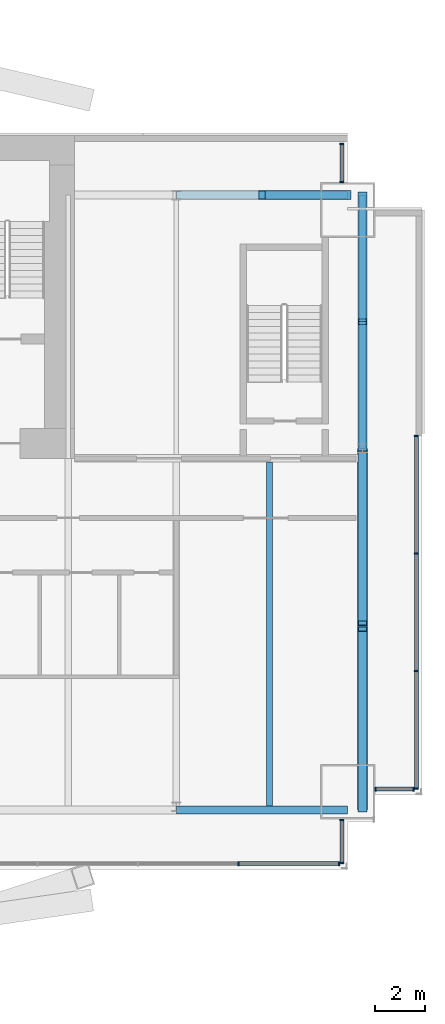
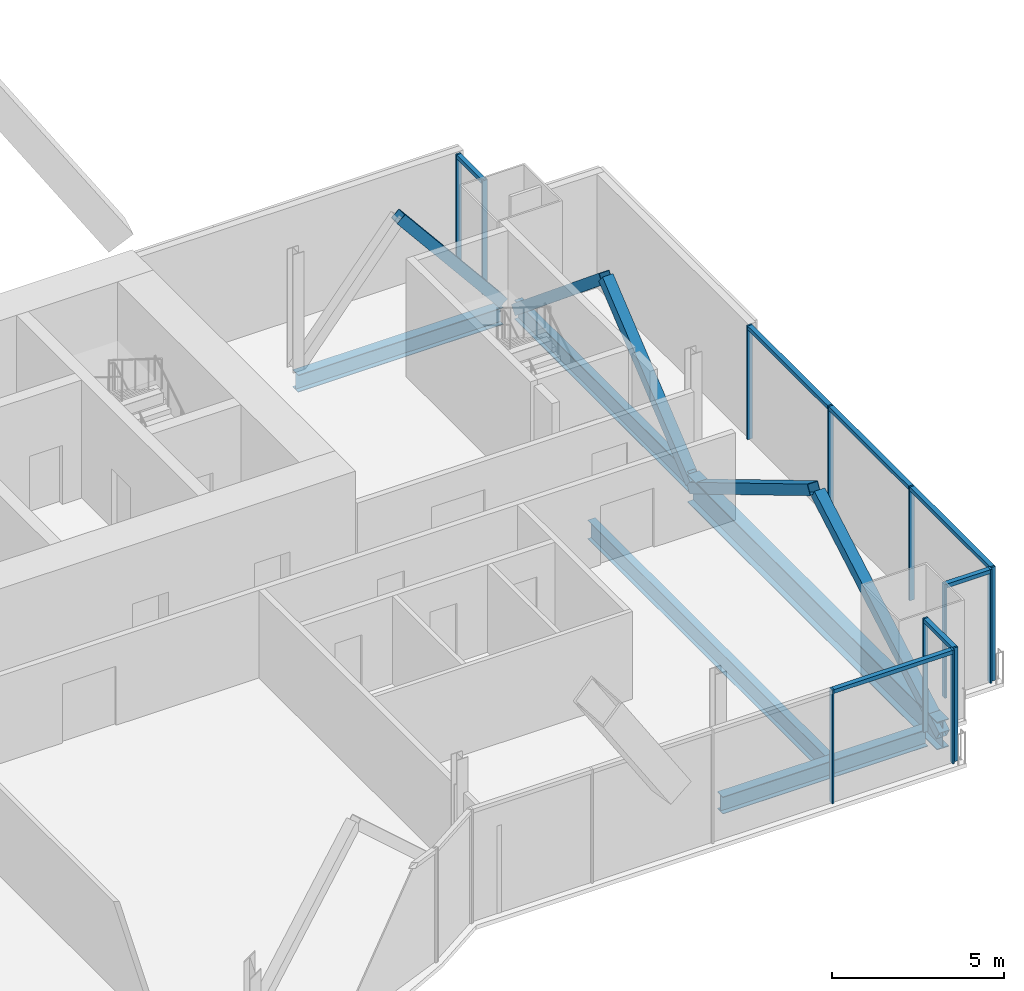
# One storey, part 14 of 22: 24 members, 5 beams, 5 elements without a shape of their own.
"""IFC4 building model written with IfcOpenShell, lengths in metres."""

import ifcopenshell
import ifcopenshell.guid

model = None  # the IFC model being written
_history = None  # IfcOwnerHistory: only IFC2X3 demands one
_inside = {}  # id of a spatial element -> (the spatial element, [elements in it])
_under = {}  # id of a project, library or spatial element -> (it, [spatial elements below it])
_declared = {}  # id of a project -> (the project, [libraries it declares])
_typed = {}  # id of a type object -> (the type object, [elements of that type])
_made_of = {}  # id of a material, layer set ... -> (it, [elements and type objects made of it])


def new_model(schema):
    """Start an empty IFC model of exactly this schema.

    Asked for "IFC4X3", IfcOpenShell would pick the latest addendum, in which some entities
    have other attributes; the version numbers below select the first issue.
    IFC2X3 requires an IfcOwnerHistory on every rooted entity: one is made here for all.
    """
    global model, _history
    if schema == "IFC4X3":
        model = ifcopenshell.file(schema_version=(4, 3, 0, 0))
    else:
        model = ifcopenshell.file(schema=schema)
    _inside.clear()
    _under.clear()
    _declared.clear()
    _typed.clear()
    _made_of.clear()
    _history = None
    if model.schema == "IFC2X3":
        org = make("IfcOrganization", Name="unknown")
        user = make(
            "IfcPersonAndOrganization",
            ThePerson=make("IfcPerson", FamilyName="unknown"),
            TheOrganization=org,
        )
        app = make(
            "IfcApplication",
            ApplicationDeveloper=org,
            Version="unknown",
            ApplicationFullName="unknown",
            ApplicationIdentifier="unknown",
        )
        _history = make(
            "IfcOwnerHistory",
            OwningUser=user,
            OwningApplication=app,
            ChangeAction="ADDED",
            CreationDate=0,
        )
    return model


def make(cls, **values):
    """One entity of the class cls with the attributes given. An attribute that is None is left unset."""
    return model.create_entity(
        cls, **{name: value for name, value in values.items() if value is not None}
    )


def rooted(cls, **values):
    """An entity with a GlobalId (a new one), such as an element, a storey or a relation."""
    return make(cls, GlobalId=ifcopenshell.guid.new(), OwnerHistory=_history, **values)


def si_unit(unit_type, name, prefix=None):
    """IfcSIUnit, for example si_unit("LENGTHUNIT", "METRE", prefix="MILLI")."""
    return make("IfcSIUnit", UnitType=unit_type, Prefix=prefix, Name=name)


def assignment(units):
    """IfcUnitAssignment: the units of a project."""
    return None if units is None else make("IfcUnitAssignment", Units=units)


def point(xyz):
    """IfcCartesianPoint."""
    return None if xyz is None else make("IfcCartesianPoint", Coordinates=xyz)


def direction(xyz):
    """IfcDirection."""
    return None if xyz is None else make("IfcDirection", DirectionRatios=xyz)


def frame(location, z_axis=None, x_axis=None):
    """IfcAxis2Placement3D, a coordinate frame: its origin and axes. An axis left out is left unset."""
    return make(
        "IfcAxis2Placement3D",
        Location=point(location),
        Axis=direction(z_axis),
        RefDirection=direction(x_axis),
    )


def frame_2d(location, x_axis=None):
    """IfcAxis2Placement2D, a coordinate frame in the plane: its origin and x axis."""
    return make(
        "IfcAxis2Placement2D", Location=point(location), RefDirection=direction(x_axis)
    )


def origin():
    """The frame at (0, 0, 0) with its axes left unset."""
    return frame((0.0, 0.0, 0.0))


def origin_2d():
    """The frame at (0, 0) in the plane with its x axis left unset."""
    return frame_2d((0.0, 0.0))


def place(relative_to, where):
    """IfcLocalPlacement: puts the frame where relative to a parent placement (None: the world)."""
    return make(
        "IfcLocalPlacement", PlacementRelTo=relative_to, RelativePlacement=where
    )


def context(
    kind, dimensions, precision=None, world=None, true_north=None, identifier=None
):
    """IfcGeometricRepresentationContext, for example the 3D "Model" context."""
    return make(
        "IfcGeometricRepresentationContext",
        ContextIdentifier=identifier,
        ContextType=kind,
        CoordinateSpaceDimension=dimensions,
        Precision=precision,
        WorldCoordinateSystem=world,
        TrueNorth=true_north,
    )


def subcontext(parent, identifier, kind, view, scale=None):
    """IfcGeometricRepresentationSubContext, for example "Body" below "Model"."""
    return make(
        "IfcGeometricRepresentationSubContext",
        ContextIdentifier=identifier,
        ContextType=kind,
        ParentContext=parent,
        TargetScale=scale,
        TargetView=view,
    )


def project(units=None, contexts=None):
    """IfcProject with its units and contexts."""
    return rooted(
        "IfcProject",
        Name="project",
        RepresentationContexts=contexts,
        UnitsInContext=assignment(units),
    )


def spatial(cls, under=None, at=None, **own):
    """A site, building, storey or space (cls), placed at a placement, below another one or the project."""
    s = rooted(cls, ObjectPlacement=at, **own)
    if under is not None:
        _under.setdefault(under.id(), (under, []))[1].append(s)
    return s


def profile(cls, at=None, kind="AREA", **sizes):
    """A parametric profile (cls). Its sizes go by their IFC names, for example OverallWidth=200.0."""
    return make(cls, ProfileType=kind, Position=at, **sizes)


def rectangle(**sizes):
    """IfcRectangleProfileDef."""
    return profile("IfcRectangleProfileDef", **sizes)


def hollow_rectangle(**sizes):
    """IfcRectangleHollowProfileDef."""
    return profile("IfcRectangleHollowProfileDef", **sizes)


def i_section(**sizes):
    """IfcIShapeProfileDef."""
    return profile("IfcIShapeProfileDef", **sizes)


def extrude(swept, where, along, depth):
    """IfcExtrudedAreaSolid: the profile swept, set in the frame where, extruded along a direction by depth."""
    return make(
        "IfcExtrudedAreaSolid",
        SweptArea=swept,
        Position=where,
        ExtrudedDirection=direction(along),
        Depth=depth,
    )


def shape(context_of_items, identifier, shape_type, items):
    """IfcShapeRepresentation: the items that make up one representation, for example the "Body"."""
    return make(
        "IfcShapeRepresentation",
        ContextOfItems=context_of_items,
        RepresentationIdentifier=identifier,
        RepresentationType=shape_type,
        Items=items,
    )


def material(Name=None, Category=None):
    """IfcMaterial."""
    return make("IfcMaterial", Name=Name, Category=Category)


def material_profile(
    of_material, cross_section, Name=None, Category=None, Priority=None
):
    """IfcMaterialProfile: a cross section and its material."""
    return make(
        "IfcMaterialProfile",
        Name=Name,
        Material=of_material,
        Profile=cross_section,
        Priority=Priority,
        Category=Category,
    )


def profile_set(profiles, Name=None, composite=None):
    """IfcMaterialProfileSet."""
    return make(
        "IfcMaterialProfileSet",
        Name=Name,
        MaterialProfiles=profiles,
        CompositeProfile=composite,
    )


def made_of(thing, what):
    """Note that an element or type object is made of a material, layer set ...; save() writes the relation."""
    if what is not None:
        _made_of.setdefault(what.id(), (what, []))[1].append(thing)
    return thing


def type_object(cls, material=None, **own):
    """A type object (cls), such as IfcWallType, which elements share."""
    return made_of(rooted(cls, **own), material)


def element(
    cls,
    number,
    at=None,
    inside=None,
    cuts=None,
    type_object=None,
    material=None,
    context=None,
    identifier="Body",
    shape_type=None,
    held_by="IfcProductDefinitionShape",
    body=None,
    shapes=None,
    **own,
):
    """One element of the class cls, such as IfcWall. Its Tag is "e" and its number.

    at: its placement. inside: the storey or other place that contains it. cuts: it is an
    opening in that element (IfcRelVoidsElement). A single representation is given by context,
    identifier, shape_type and body (its items); several are given by shapes. held_by: the class
    of the entity that holds the representations. save() writes the other relations.
    """
    e = rooted(cls, Tag="e%d" % number, ObjectPlacement=at, **own)
    if body is not None:
        shapes = [shape(context, identifier, shape_type, body)]
    if shapes is not None:
        e.Representation = make(held_by, Representations=shapes)
    if inside is not None:
        _inside.setdefault(inside.id(), (inside, []))[1].append(e)
    if cuts is not None:
        rooted(
            "IfcRelVoidsElement", RelatingBuildingElement=cuts, RelatedOpeningElement=e
        )
    if type_object is not None:
        _typed.setdefault(type_object.id(), (type_object, []))[1].append(e)
    return made_of(e, material)


def aggregate(whole, parts):
    """IfcRelAggregates: a whole, such as a stair, and the parts it consists of."""
    return rooted("IfcRelAggregates", RelatingObject=whole, RelatedObjects=parts)


def save(model, path):
    """Write the relations noted so far, then the file.

    IfcRelAggregates (storeys below a building ...), IfcRelContainedInSpatialStructure (elements
    in a storey), IfcRelDefinesByType, IfcRelAssociatesMaterial and IfcRelDeclares: one each for
    every whole, place, type object, material and project.
    """
    for whole, parts in _under.values():
        aggregate(whole, parts)
    for where, things in _inside.values():
        rooted(
            "IfcRelContainedInSpatialStructure",
            RelatedElements=things,
            RelatingStructure=where,
        )
    for kind, things in _typed.values():
        rooted("IfcRelDefinesByType", RelatedObjects=things, RelatingType=kind)
    for what, things in _made_of.values():
        rooted("IfcRelAssociatesMaterial", RelatedObjects=things, RelatingMaterial=what)
    for by, libraries in _declared.values():
        rooted("IfcRelDeclares", RelatingContext=by, RelatedDefinitions=libraries)
    model.write(path)


model = new_model("IFC4")

# Units and contexts
model_context = context("Model", 3, precision=1e-05, world=origin(), true_north=direction((0.0, 1.0)))
body_context = subcontext(model_context, "Body", "Model", "MODEL_VIEW")
ifc_project = project(units=[si_unit("LENGTHUNIT", "METRE"), si_unit("AREAUNIT", "SQUARE_METRE"), si_unit("VOLUMEUNIT", "CUBIC_METRE"), si_unit("PLANEANGLEUNIT", "RADIAN"), si_unit("MASSUNIT", "GRAM", prefix="KILO")], contexts=[model_context])

# Site, building, storey
site_placement = place(None, origin())
site = spatial("IfcSite", under=ifc_project, at=site_placement, CompositionType="ELEMENT")
building_placement = place(site_placement, origin())
building = spatial("IfcBuilding", under=site, at=building_placement, Name="Bicima Exchange Tower", CompositionType="ELEMENT")
storey_placement = place(building_placement, frame((0.0, 0.0, 254.0)))
storey = spatial("IfcBuildingStorey", under=building, at=storey_placement, Name="L57", CompositionType="ELEMENT", Elevation=254.0)

# Curtain wall, members
ifc_material_1 = material(Name="Anodised bronze aluminium", Category="aluminium")
curtain_wall_type_1 = type_object("IfcCurtainWallType", Name="End face glass wall", PredefinedType="NOTDEFINED", material=ifc_material_1)
curtain_wall_1_placement = place(storey_placement, origin())
curtain_wall_1 = element("IfcCurtainWall", 1, at=curtain_wall_1_placement, inside=storey, type_object=curtain_wall_type_1, Name="End face glass wall L57 run 19", PredefinedType="NOTDEFINED")
ifc_material_profile_1 = material_profile(ifc_material_1, rectangle(XDim=0.159912109375, YDim=0.06005859375, at=origin_2d()))
ifc_profile_set_1 = profile_set([ifc_material_profile_1], Name="Anodised bronze aluminium")
member_type_1 = type_object("IfcMemberType", Name="End face glass wall mullion 60 x 160", PredefinedType="MULLION", material=ifc_profile_set_1)
member_1_placement = place(storey_placement, frame((35.77001953125, -26.2958984375, 0.0), z_axis=(0.0, 0.0, 1.0), x_axis=(-1.0, 0.0, 0.0)))
member_1 = element("IfcMember", 2, at=member_1_placement, type_object=member_type_1, Name="End face glass wall mullion 1", PredefinedType="MULLION", context=body_context, shape_type="SweptSolid", body=[
    extrude(rectangle(XDim=0.159912109375, YDim=0.06005859375, at=origin_2d()), origin(), (0.0, 0.0, 1.0), 4.050048828125),
])
member_2_placement = place(storey_placement, frame((35.77001953125, -21.5673828125, 0.0), z_axis=(0.0, 0.0, 1.0), x_axis=(-1.0, 0.0, 0.0)))
member_2 = element("IfcMember", 3, at=member_2_placement, type_object=member_type_1, Name="End face glass wall mullion 2", PredefinedType="MULLION", context=body_context, shape_type="SweptSolid", body=[
    extrude(rectangle(XDim=0.159912109375, YDim=0.06005859375, at=origin_2d()), origin(), (0.0, 0.0, 1.0), 4.050048828125),
])
member_3_placement = place(storey_placement, frame((35.77001953125, -16.838623046875, 0.0), z_axis=(0.0, 0.0, 1.0), x_axis=(-1.0, 0.0, 0.0)))
member_3 = element("IfcMember", 4, at=member_3_placement, type_object=member_type_1, Name="End face glass wall mullion 3", PredefinedType="MULLION", context=body_context, shape_type="SweptSolid", body=[
    extrude(rectangle(XDim=0.159912109375, YDim=0.06005859375, at=origin_2d()), origin(), (0.0, 0.0, 1.0), 4.050048828125),
])
member_4_placement = place(storey_placement, frame((35.77001953125, -12.110107421875, 0.0), z_axis=(0.0, 0.0, 1.0), x_axis=(-1.0, 0.0, 0.0)))
member_4 = element("IfcMember", 5, at=member_4_placement, type_object=member_type_1, Name="End face glass wall mullion 4", PredefinedType="MULLION", context=body_context, shape_type="SweptSolid", body=[
    extrude(rectangle(XDim=0.159912109375, YDim=0.06005859375, at=origin_2d()), origin(), (0.0, 0.0, 1.0), 4.050048828125),
])
ifc_material_profile_2 = material_profile(ifc_material_1, rectangle(XDim=0.159912109375, YDim=0.139892578125, at=origin_2d()))
ifc_profile_set_2 = profile_set([ifc_material_profile_2], Name="Anodised bronze aluminium")
member_type_2 = type_object("IfcMemberType", Name="End face glass wall transom 140 x 160", PredefinedType="USERDEFINED", material=ifc_profile_set_2)
member_5_placement = place(storey_placement, frame((35.77001953125, -26.26611328125, 3.97998046875), z_axis=(0.0, 1.0, 0.0), x_axis=(-1.0, 0.0, 0.0)))
member_5 = element("IfcMember", 6, at=member_5_placement, type_object=member_type_2, Name="End face glass wall transom 1.1", ObjectType="TRANSOM", PredefinedType="USERDEFINED", context=body_context, shape_type="SweptSolid", body=[
    extrude(rectangle(XDim=0.159912109375, YDim=0.139892578125, at=origin_2d()), origin(), (0.0, 0.0, 1.0), 4.668701171875),
])
member_6_placement = place(storey_placement, frame((35.77001953125, -21.537353515625, 3.97998046875), z_axis=(0.0, 1.0, 0.0), x_axis=(-1.0, 0.0, 0.0)))
member_6 = element("IfcMember", 7, at=member_6_placement, type_object=member_type_2, Name="End face glass wall transom 2.1", ObjectType="TRANSOM", PredefinedType="USERDEFINED", context=body_context, shape_type="SweptSolid", body=[
    extrude(rectangle(XDim=0.159912109375, YDim=0.139892578125, at=origin_2d()), origin(), (0.0, 0.0, 1.0), 4.668701171875),
])
member_7_placement = place(storey_placement, frame((35.77001953125, -16.80859375, 3.97998046875), z_axis=(0.0, 1.0, 0.0), x_axis=(-1.0, 0.0, 0.0)))
member_7 = element("IfcMember", 8, at=member_7_placement, type_object=member_type_2, Name="End face glass wall transom 3.1", ObjectType="TRANSOM", PredefinedType="USERDEFINED", context=body_context, shape_type="SweptSolid", body=[
    extrude(rectangle(XDim=0.159912109375, YDim=0.139892578125, at=origin_2d()), origin(), (0.0, 0.0, 1.0), 4.668701171875),
])
aggregate(curtain_wall_1, [member_1, member_2, member_3, member_4, member_5, member_6, member_7])

# Beams
ifc_material_2 = material(Name="Steel ASTM A992 Gr 50", Category="steel")
ifc_material_profile_3 = material_profile(ifc_material_2, i_section(OverallWidth=0.256591796875, OverallDepth=0.693359375, WebThickness=0.014404296875, FlangeThickness=0.023681640625, at=origin_2d()))
ifc_profile_set_3 = profile_set([ifc_material_profile_3], Name="Steel ASTM A992 Gr 50")
beam_type_1 = type_object("IfcBeamType", Name="End girder W27x114", PredefinedType="BEAM", material=ifc_profile_set_3)
beam_1_placement = place(storey_placement, frame((33.60009765625, -2.39990234375, -0.49658203125), z_axis=(0.0, -1.0, 0.0), x_axis=(1.0, 0.0, 0.0)))
element("IfcBeam", 9, at=beam_1_placement, inside=storey, type_object=beam_type_1, Name="End girder", PredefinedType="BEAM", context=body_context, shape_type="SweptSolid", body=[
    extrude(i_section(OverallWidth=0.256591796875, OverallDepth=0.693359375, WebThickness=0.014404296875, FlangeThickness=0.023681640625, at=origin_2d()), origin(), (0.0, 0.0, 1.0), 10.2001953125),
])
ifc_material_profile_4 = material_profile(ifc_material_2, i_section(OverallWidth=0.4013671875, OverallDepth=0.990478515625, WebThickness=0.0166015625, FlangeThickness=0.031005859375, at=origin_2d()))
ifc_profile_set_4 = profile_set([ifc_material_profile_4], Name="Steel ASTM A992 Gr 50")
beam_type_2 = type_object("IfcBeamType", Name="End girder W40x215", PredefinedType="BEAM", material=ifc_profile_set_4)
beam_2_placement = place(storey_placement, frame((33.60009765625, -12.60009765625, -0.645263671875), z_axis=(0.0, -1.0, 0.0), x_axis=(1.0, 0.0, 0.0)))
element("IfcBeam", 10, at=beam_2_placement, inside=storey, type_object=beam_type_2, Name="End girder", PredefinedType="BEAM", context=body_context, shape_type="SweptSolid", body=[
    extrude(i_section(OverallWidth=0.4013671875, OverallDepth=0.990478515625, WebThickness=0.0166015625, FlangeThickness=0.031005859375, at=origin_2d()), origin(), (0.0, 0.0, 1.0), 14.555908203125),
])
ifc_material_profile_5 = material_profile(ifc_material_2, i_section(OverallWidth=0.25390625, OverallDepth=0.67822265625, WebThickness=0.01171875, FlangeThickness=0.016357421875, at=origin_2d()))
ifc_profile_set_5 = profile_set([ifc_material_profile_5], Name="Steel ASTM A992 Gr 50")
beam_type_3 = type_object("IfcBeamType", Name="Floor beam W27x84", PredefinedType="JOIST", material=ifc_profile_set_5)
beam_3_placement = place(storey_placement, frame((29.85009765625, -13.15234375, -0.489013671875), z_axis=(0.0, -1.0, 0.0), x_axis=(1.0, 0.0, 0.0)))
element("IfcBeam", 11, at=beam_3_placement, inside=storey, type_object=beam_type_3, Name="Floor beam", PredefinedType="JOIST", context=body_context, shape_type="SweptSolid", body=[
    extrude(i_section(OverallWidth=0.25390625, OverallDepth=0.67822265625, WebThickness=0.01171875, FlangeThickness=0.016357421875, at=origin_2d()), origin(), (0.0, 0.0, 1.0), 13.841064453125),
])
ifc_material_profile_6 = material_profile(ifc_material_2, i_section(OverallWidth=0.3251953125, OverallDepth=0.612060546875, WebThickness=0.0126953125, FlangeThickness=0.01904296875, at=origin_2d()))
ifc_profile_set_6 = profile_set([ifc_material_profile_6], Name="Steel ASTM A992 Gr 50")
beam_type_4 = type_object("IfcBeamType", Name="Front girder W24x104", PredefinedType="BEAM", material=ifc_profile_set_6)
beam_4_placement = place(storey_placement, frame((26.10009765625, -27.156005859375, -0.4560546875), z_axis=(1.0, 0.0, 0.0), x_axis=(0.0, 1.0, 0.0)))
element("IfcBeam", 12, at=beam_4_placement, inside=storey, type_object=beam_type_4, Name="Front girder", PredefinedType="BEAM", context=body_context, shape_type="SweptSolid", body=[
    extrude(i_section(OverallWidth=0.3251953125, OverallDepth=0.612060546875, WebThickness=0.0126953125, FlangeThickness=0.01904296875, at=origin_2d()), origin(), (0.0, 0.0, 1.0), 6.89990234375),
])

# Curtain wall, members
curtain_wall_type_2 = type_object("IfcCurtainWallType", Name="Front glass wall", PredefinedType="NOTDEFINED", material=ifc_material_1)
curtain_wall_2_placement = place(storey_placement, origin())
curtain_wall_2 = element("IfcCurtainWall", 13, at=curtain_wall_2_placement, inside=storey, type_object=curtain_wall_type_2, Name="Front glass wall L57 run 16", PredefinedType="NOTDEFINED")
member_type_3 = type_object("IfcMemberType", Name="Front glass wall mullion 60 x 160", PredefinedType="MULLION", material=ifc_profile_set_1)
member_8_placement = place(storey_placement, frame((28.610595703125, -29.325927734375, 0.0), z_axis=(0.0, 0.0, 1.0), x_axis=(0.0, 1.0, 0.0)))
member_8 = element("IfcMember", 14, at=member_8_placement, type_object=member_type_3, Name="Front glass wall mullion 4", PredefinedType="MULLION", context=body_context, shape_type="SweptSolid", body=[
    extrude(rectangle(XDim=0.159912109375, YDim=0.06005859375, at=origin_2d()), origin(), (0.0, 0.0, 1.0), 4.050048828125),
])
member_9_placement = place(storey_placement, frame((32.659912109375, -29.325927734375, 0.0), z_axis=(0.0, 0.0, 1.0), x_axis=(0.0, 1.0, 0.0)))
member_9 = element("IfcMember", 15, at=member_9_placement, type_object=member_type_3, Name="Front glass wall mullion 5", PredefinedType="MULLION", context=body_context, shape_type="SweptSolid", body=[
    extrude(rectangle(XDim=0.159912109375, YDim=0.06005859375, at=origin_2d()), origin(), (0.0, 0.0, 1.0), 4.050048828125),
])

curtain_wall_3_placement = place(storey_placement, origin())
curtain_wall_3 = element("IfcCurtainWall", 16, at=curtain_wall_3_placement, inside=storey, type_object=curtain_wall_type_2, Name="Front glass wall L57 run 17", PredefinedType="NOTDEFINED")
member_10_placement = place(storey_placement, frame((32.77001953125, -29.2958984375, 0.0), z_axis=(0.0, 0.0, 1.0), x_axis=(-1.0, 0.0, 0.0)))
member_10 = element("IfcMember", 17, at=member_10_placement, type_object=member_type_3, Name="Front glass wall mullion 1", PredefinedType="MULLION", context=body_context, shape_type="SweptSolid", body=[
    extrude(rectangle(XDim=0.159912109375, YDim=0.06005859375, at=origin_2d()), origin(), (0.0, 0.0, 1.0), 4.050048828125),
])
member_11_placement = place(storey_placement, frame((32.77001953125, -27.56396484375, 0.0), z_axis=(0.0, 0.0, 1.0), x_axis=(-1.0, 0.0, 0.0)))
member_11 = element("IfcMember", 18, at=member_11_placement, type_object=member_type_3, Name="Front glass wall mullion 2", PredefinedType="MULLION", context=body_context, shape_type="SweptSolid", body=[
    extrude(rectangle(XDim=0.159912109375, YDim=0.06005859375, at=origin_2d()), origin(), (0.0, 0.0, 1.0), 4.050048828125),
])

curtain_wall_4_placement = place(storey_placement, origin())
curtain_wall_4 = element("IfcCurtainWall", 19, at=curtain_wall_4_placement, inside=storey, type_object=curtain_wall_type_2, Name="Front glass wall L57 run 18", PredefinedType="NOTDEFINED")
member_12_placement = place(storey_placement, frame((34.1298828125, -26.325927734375, 0.0), z_axis=(0.0, 0.0, 1.0), x_axis=(0.0, 1.0, 0.0)))
member_12 = element("IfcMember", 20, at=member_12_placement, type_object=member_type_3, Name="Front glass wall mullion 1", PredefinedType="MULLION", context=body_context, shape_type="SweptSolid", body=[
    extrude(rectangle(XDim=0.159912109375, YDim=0.06005859375, at=origin_2d()), origin(), (0.0, 0.0, 1.0), 4.050048828125),
])
member_13_placement = place(storey_placement, frame((35.659912109375, -26.325927734375, 0.0), z_axis=(0.0, 0.0, 1.0), x_axis=(0.0, 1.0, 0.0)))
member_13 = element("IfcMember", 21, at=member_13_placement, type_object=member_type_3, Name="Front glass wall mullion 2", PredefinedType="MULLION", context=body_context, shape_type="SweptSolid", body=[
    extrude(rectangle(XDim=0.159912109375, YDim=0.06005859375, at=origin_2d()), origin(), (0.0, 0.0, 1.0), 4.050048828125),
])

curtain_wall_5_placement = place(storey_placement, origin())
curtain_wall_5 = element("IfcCurtainWall", 22, at=curtain_wall_5_placement, inside=storey, type_object=curtain_wall_type_2, Name="Front glass wall L57 run 20", PredefinedType="NOTDEFINED")
member_14_placement = place(storey_placement, frame((32.77001953125, -1.8701171875, 0.0), z_axis=(0.0, 0.0, 1.0), x_axis=(-1.0, 0.0, 0.0)))
member_14 = element("IfcMember", 23, at=member_14_placement, type_object=member_type_3, Name="Front glass wall mullion 1", PredefinedType="MULLION", context=body_context, shape_type="SweptSolid", body=[
    extrude(rectangle(XDim=0.159912109375, YDim=0.06005859375, at=origin_2d()), origin(), (0.0, 0.0, 1.0), 4.050048828125),
])
member_15_placement = place(storey_placement, frame((32.77001953125, -0.340087890625, 0.0), z_axis=(0.0, 0.0, 1.0), x_axis=(-1.0, 0.0, 0.0)))
member_15 = element("IfcMember", 24, at=member_15_placement, type_object=member_type_3, Name="Front glass wall mullion 2", PredefinedType="MULLION", context=body_context, shape_type="SweptSolid", body=[
    extrude(rectangle(XDim=0.159912109375, YDim=0.06005859375, at=origin_2d()), origin(), (0.0, 0.0, 1.0), 4.050048828125),
])

# Member
member_type_4 = type_object("IfcMemberType", Name="Front glass wall transom 140 x 160", PredefinedType="USERDEFINED", material=ifc_profile_set_2)
member_16_placement = place(storey_placement, frame((28.640380859375, -29.325927734375, 3.97998046875), z_axis=(1.0, 0.0, 0.0), x_axis=(0.0, 1.0, 0.0)))
member_16 = element("IfcMember", 25, at=member_16_placement, type_object=member_type_4, Name="Front glass wall transom 4.1", ObjectType="TRANSOM", PredefinedType="USERDEFINED", context=body_context, shape_type="SweptSolid", body=[
    extrude(rectangle(XDim=0.159912109375, YDim=0.139892578125, at=origin_2d()), origin(), (0.0, 0.0, 1.0), 3.989501953125),
])

aggregate(curtain_wall_2, [member_8, member_9, member_16])

member_17_placement = place(storey_placement, frame((32.77001953125, -29.26611328125, 3.97998046875), z_axis=(0.0, 1.0, 0.0), x_axis=(-1.0, 0.0, 0.0)))
member_17 = element("IfcMember", 26, at=member_17_placement, type_object=member_type_4, Name="Front glass wall transom 1.1", ObjectType="TRANSOM", PredefinedType="USERDEFINED", context=body_context, shape_type="SweptSolid", body=[
    extrude(rectangle(XDim=0.159912109375, YDim=0.139892578125, at=origin_2d()), origin(), (0.0, 0.0, 1.0), 1.672119140625),
])

aggregate(curtain_wall_3, [member_10, member_11, member_17])

member_18_placement = place(storey_placement, frame((34.159912109375, -26.325927734375, 3.97998046875), z_axis=(1.0, 0.0, 0.0), x_axis=(0.0, 1.0, 0.0)))
member_18 = element("IfcMember", 27, at=member_18_placement, type_object=member_type_4, Name="Front glass wall transom 1.1", ObjectType="TRANSOM", PredefinedType="USERDEFINED", context=body_context, shape_type="SweptSolid", body=[
    extrude(rectangle(XDim=0.159912109375, YDim=0.139892578125, at=origin_2d()), origin(), (0.0, 0.0, 1.0), 1.469970703125),
])

aggregate(curtain_wall_4, [member_12, member_13, member_18])

member_19_placement = place(storey_placement, frame((32.77001953125, -1.840087890625, 3.97998046875), z_axis=(0.0, 1.0, 0.0), x_axis=(-1.0, 0.0, 0.0)))
member_19 = element("IfcMember", 28, at=member_19_placement, type_object=member_type_4, Name="Front glass wall transom 1.1", ObjectType="TRANSOM", PredefinedType="USERDEFINED", context=body_context, shape_type="SweptSolid", body=[
    extrude(rectangle(XDim=0.159912109375, YDim=0.139892578125, at=origin_2d()), origin(), (0.0, 0.0, 1.0), 1.469970703125),
])

aggregate(curtain_wall_5, [member_14, member_15, member_19])

# Members
ifc_material_3 = material(Name="Steel ASTM A572 Gr 50", Category="steel")
ifc_material_profile_7 = material_profile(ifc_material_3, hollow_rectangle(XDim=0.355712890625, YDim=0.355712890625, WallThickness=0.0146484375, at=origin_2d()))
ifc_profile_set_7 = profile_set([ifc_material_profile_7], Name="Steel ASTM A572 Gr 50")
member_type_5 = type_object("IfcMemberType", Name="Mega brace HSS14x14x5/8", PredefinedType="BRACE", material=ifc_profile_set_7)
member_20_placement = place(storey_placement, frame((33.0, -2.39990234375, 0.0), z_axis=(-0.63473846547, 0.0, 0.772727041362), x_axis=(0.0, -1.0, 0.0)))
element("IfcMember", 29, at=member_20_placement, inside=storey, type_object=member_type_5, Name="Mega brace rear", PredefinedType="BRACE", context=body_context, shape_type="SweptSolid", body=[
    extrude(hollow_rectangle(XDim=0.355712890625, YDim=0.355712890625, WallThickness=0.0146484375, at=origin_2d()), origin(), (0.0, 0.0, 1.0), 5.435302734375),
])
for number, where, z_axis, x_axis, name in (
    (30, (33.60009765625, -2.39990234375, -0.49658203125), (0.0, -0.771939835586, 0.635695595576), (1.0, 0.0, 0.0), "Mega brace east end"),
    (31, (33.60009765625, -12.60009765625, -0.49658203125), (0.0, 0.771939835586, 0.635695595576), (-1.0, 0.0, 0.0), "Mega brace east end"),
):
    element("IfcMember", number, at=place(storey_placement, frame(where, z_axis=z_axis, x_axis=x_axis)), inside=storey, type_object=member_type_5, Name=name, PredefinedType="BRACE", context=body_context, shape_type="SweptSolid", body=[
        extrude(hollow_rectangle(XDim=0.355712890625, YDim=0.355712890625, WallThickness=0.0146484375, at=origin_2d()), origin(), (0.0, 0.0, 1.0), 6.60693359375),
    ])
member_21_placement = place(storey_placement, frame((33.60009765625, -12.60009765625, -0.645263671875), z_axis=(0.0, -0.858590091642, 0.512662710302), x_axis=(1.0, 0.0, 0.0)))
element("IfcMember", 32, at=member_21_placement, inside=storey, type_object=member_type_5, Name="Mega brace east end", PredefinedType="BRACE", context=body_context, shape_type="SweptSolid", body=[
    extrude(hollow_rectangle(XDim=0.355712890625, YDim=0.355712890625, WallThickness=0.0146484375, at=origin_2d()), origin(), (0.0, 0.0, 1.0), 8.1923828125),
])
member_22_placement = place(storey_placement, frame((33.60009765625, -27.156005859375, -0.645263671875), z_axis=(0.0, 0.866130923097, 0.499817190636), x_axis=(-1.0, 0.0, 0.0)))
element("IfcMember", 33, at=member_22_placement, inside=storey, type_object=member_type_5, Name="Mega brace east end", PredefinedType="BRACE", context=body_context, shape_type="SweptSolid", body=[
    extrude(hollow_rectangle(XDim=0.355712890625, YDim=0.355712890625, WallThickness=0.0146484375, at=origin_2d()), origin(), (0.0, 0.0, 1.0), 8.403076171875),
])

# Beam
beam_type_5 = type_object("IfcBeamType", Name="Rear girder W24x104", PredefinedType="BEAM", material=ifc_profile_set_6)
beam_5_placement = place(storey_placement, frame((26.10009765625, -2.39990234375, -0.4560546875), z_axis=(1.0, 0.0, 0.0), x_axis=(0.0, 1.0, 0.0)))
element("IfcBeam", 34, at=beam_5_placement, inside=storey, type_object=beam_type_5, Name="Rear girder", PredefinedType="BEAM", context=body_context, shape_type="SweptSolid", body=[
    extrude(i_section(OverallWidth=0.3251953125, OverallDepth=0.612060546875, WebThickness=0.0126953125, FlangeThickness=0.01904296875, at=origin_2d()), origin(), (0.0, 0.0, 1.0), 6.89990234375),
])

save(model, "model.ifc")
